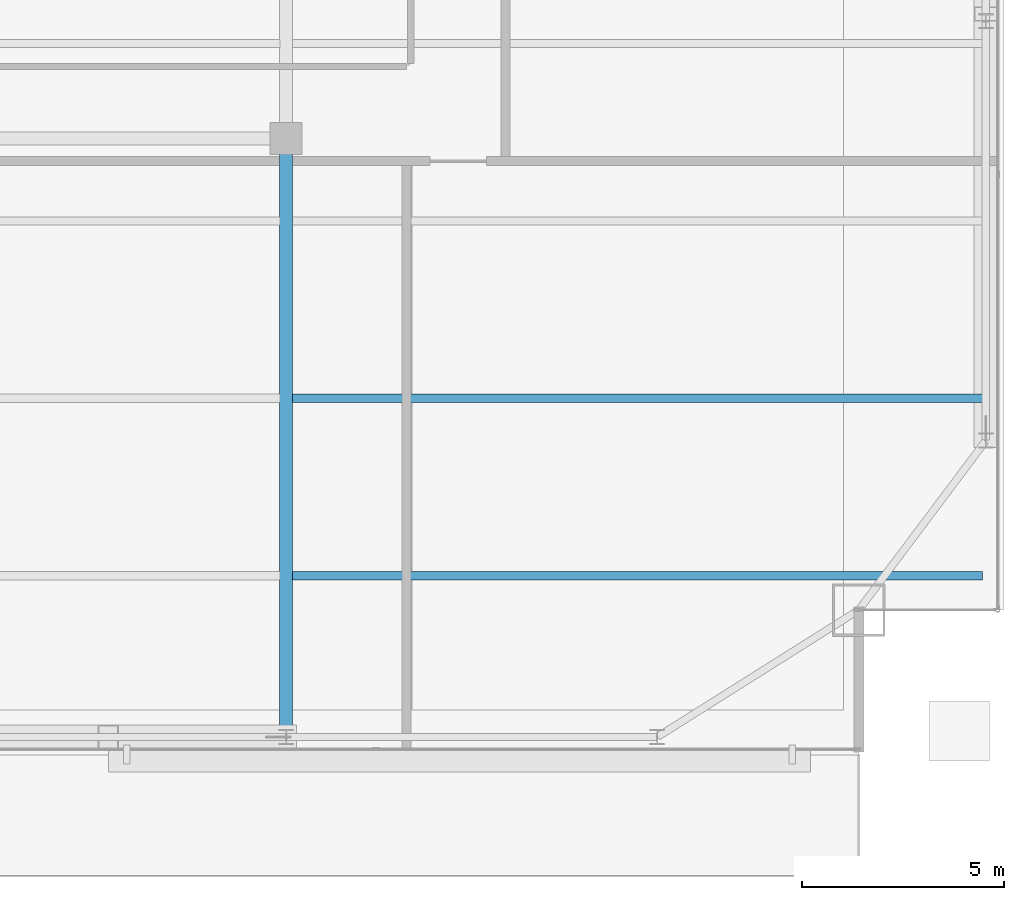
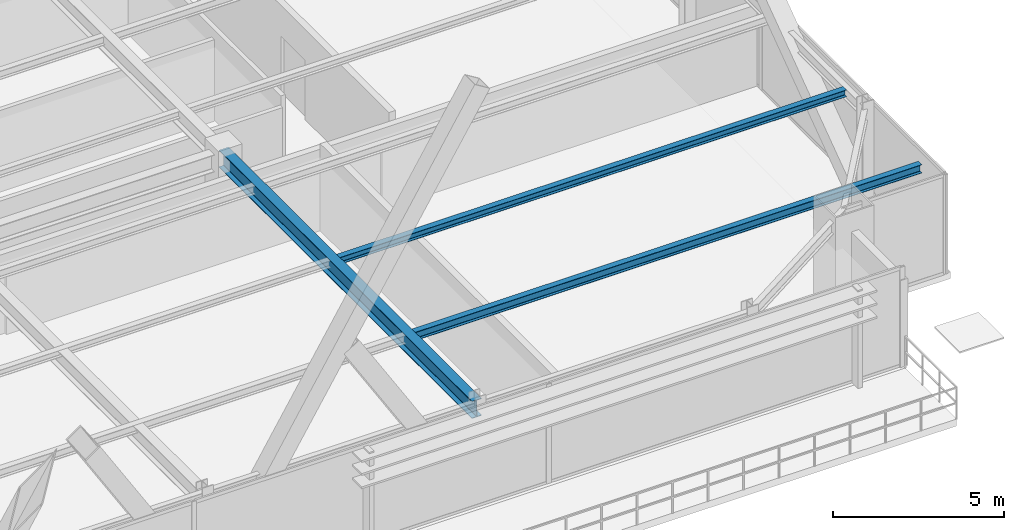
# One storey, part 14 of 33: 3 beams.
"""IFC4 building model written with IfcOpenShell, lengths in metres."""

from ifc_helpers import new_model, si_unit, direction, frame, origin, origin_2d, place, context, subcontext, project, spatial, i_section, extrude, source, transform, mapped, material, material_profile, profile_set, type_object, type_shapes, element, save


model = new_model("IFC4")

# Units and contexts
model_context = context("Model", 3, precision=1e-05, world=origin(), true_north=direction((0.0, 1.0)))
body_context = subcontext(model_context, "Body", "Model", "MODEL_VIEW")
ifc_project = project(units=[si_unit("LENGTHUNIT", "METRE"), si_unit("AREAUNIT", "SQUARE_METRE"), si_unit("VOLUMEUNIT", "CUBIC_METRE"), si_unit("PLANEANGLEUNIT", "RADIAN"), si_unit("MASSUNIT", "GRAM", prefix="KILO")], contexts=[model_context])

# Site, building, storey
site_placement = place(None, origin())
site = spatial("IfcSite", under=ifc_project, at=site_placement, CompositionType="ELEMENT")
building_placement = place(site_placement, origin())
building = spatial("IfcBuilding", under=site, at=building_placement, Name="Varnel Quay Broadcast Tower", CompositionType="ELEMENT")
storey_placement = place(building_placement, frame((0.0, 0.0, 145.800048828125)))
storey = spatial("IfcBuildingStorey", under=building, at=storey_placement, Name="L35", CompositionType="ELEMENT", Elevation=145.800048828125)

# Beams
ifc_material = material(Name="Structural Steel CSA G40.21 350W", Category="steel")
ifc_material_profile_1 = material_profile(ifc_material, i_section(OverallWidth=0.324951171875, OverallDepth=0.615966796875, WebThickness=0.013916015625, FlangeThickness=0.021484375, FilletRadius=0.01611328125, at=origin_2d()), Name="W610X174")
ifc_profile_set_1 = profile_set([ifc_material_profile_1], Name="Structural Steel CSA G40.21 350W")
beam_type_1 = type_object("IfcBeamType", Name="Girder_W610X174", PredefinedType="BEAM", material=ifc_profile_set_1)
shared_shape_1 = source(origin(), body_context, "Body", "SweptSolid", [
    extrude(i_section(OverallWidth=0.324951171875, OverallDepth=0.615966796875, WebThickness=0.013916015625, FlangeThickness=0.021484375, FilletRadius=0.01611328125, at=origin_2d()), origin(), (0.0, 0.0, 1.0), 14.800048828125),
])
type_shapes(beam_type_1, [shared_shape_1])
beam_1_placement = place(storey_placement, frame((43.199951171875, 7.669921875, 3.241943359375), z_axis=(0.0, 1.0, 0.0), x_axis=(-1.0, 0.0, 0.0)))
element("IfcBeam", 1, at=beam_1_placement, inside=storey, type_object=beam_type_1, Name="L35 Primary Girder TC-S4-IC-02", PredefinedType="BEAM", context=body_context, shape_type="MappedRepresentation", body=[
    mapped(shared_shape_1, transform((0.0, 0.0, 0.0), x_axis=(1.0, 0.0, 0.0), y_axis=(0.0, 1.0, 0.0), z_axis=(0.0, 0.0, 1.0), scale=1.0)),
])
ifc_material_profile_2 = material_profile(ifc_material, i_section(OverallWidth=0.202880859375, OverallDepth=0.302978515625, WebThickness=0.007568359375, FlangeThickness=0.01318359375, FilletRadius=0.011962890625, at=origin_2d()), Name="W310X60")
ifc_profile_set_2 = profile_set([ifc_material_profile_2], Name="Structural Steel CSA G40.21 350W")
beam_type_2 = type_object("IfcBeamType", Name="Beam_W310X60", PredefinedType="JOIST", material=ifc_profile_set_2)
shared_shape_2 = source(origin(), body_context, "Body", "SweptSolid", [
    extrude(i_section(OverallWidth=0.202880859375, OverallDepth=0.302978515625, WebThickness=0.007568359375, FlangeThickness=0.01318359375, FilletRadius=0.011962890625, at=origin_2d()), origin(), (0.0, 0.0, 1.0), 17.107177734375),
])
type_shapes(beam_type_2, [shared_shape_2])
beam_2_placement = place(storey_placement, frame((43.357421875, 11.64990234375, 3.3984375), z_axis=(1.0, 0.0, 0.0), x_axis=(0.0, 1.0, 0.0)))
element("IfcBeam", 2, at=beam_2_placement, inside=storey, type_object=beam_type_2, Name="L35 East Floor Joist 1", PredefinedType="JOIST", context=body_context, shape_type="MappedRepresentation", body=[
    mapped(shared_shape_2, transform((0.0, 0.0, 0.0), x_axis=(1.0, 0.0, 0.0), y_axis=(0.0, 1.0, 0.0), z_axis=(0.0, 0.0, 1.0), scale=1.0)),
])
ifc_material_profile_3 = material_profile(ifc_material, i_section(OverallWidth=0.201904296875, OverallDepth=0.2470703125, WebThickness=0.00732421875, FlangeThickness=0.010986328125, FilletRadius=0.010986328125, at=origin_2d()), Name="W250X49")
ifc_profile_set_3 = profile_set([ifc_material_profile_3], Name="Structural Steel CSA G40.21 350W")
beam_type_3 = type_object("IfcBeamType", Name="Beam_W250X49", PredefinedType="JOIST", material=ifc_profile_set_3)
shared_shape_3 = source(origin(), body_context, "Body", "SweptSolid", [
    extrude(i_section(OverallWidth=0.201904296875, OverallDepth=0.2470703125, WebThickness=0.00732421875, FlangeThickness=0.010986328125, FilletRadius=0.010986328125, at=origin_2d()), origin(), (0.0, 0.0, 1.0), 17.107177734375),
])
type_shapes(beam_type_3, [shared_shape_3])
beam_3_placement = place(storey_placement, frame((43.357421875, 16.050048828125, 3.426513671875), z_axis=(1.0, 0.0, 0.0), x_axis=(0.0, 1.0, 0.0)))
element("IfcBeam", 3, at=beam_3_placement, inside=storey, type_object=beam_type_3, Name="L35 East Floor Joist 2", PredefinedType="JOIST", context=body_context, shape_type="MappedRepresentation", body=[
    mapped(shared_shape_3, transform((0.0, 0.0, 0.0), x_axis=(1.0, 0.0, 0.0), y_axis=(0.0, 1.0, 0.0), z_axis=(0.0, 0.0, 1.0), scale=1.0)),
])

save(model, "model.ifc")
